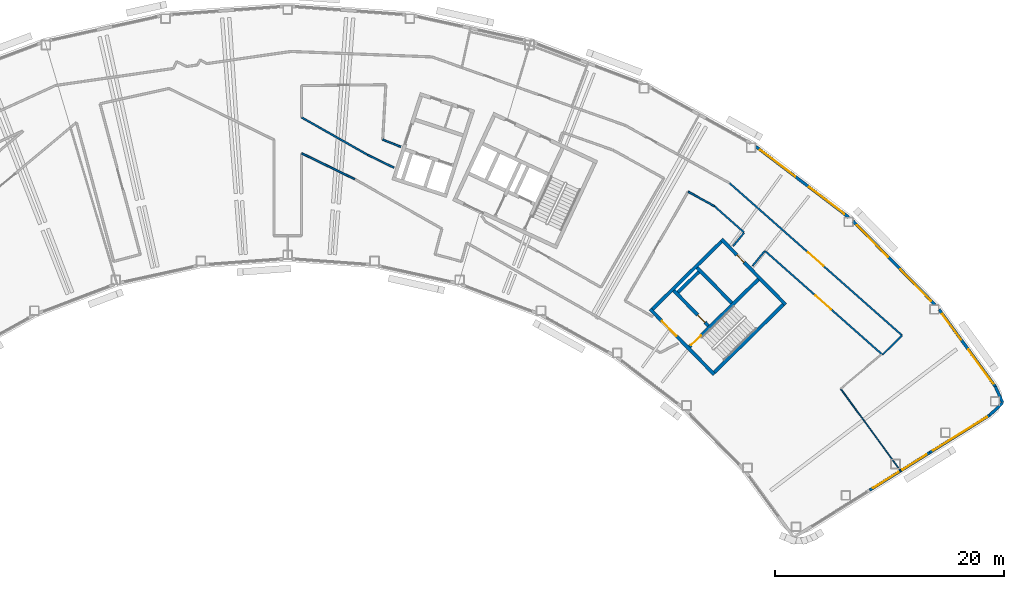
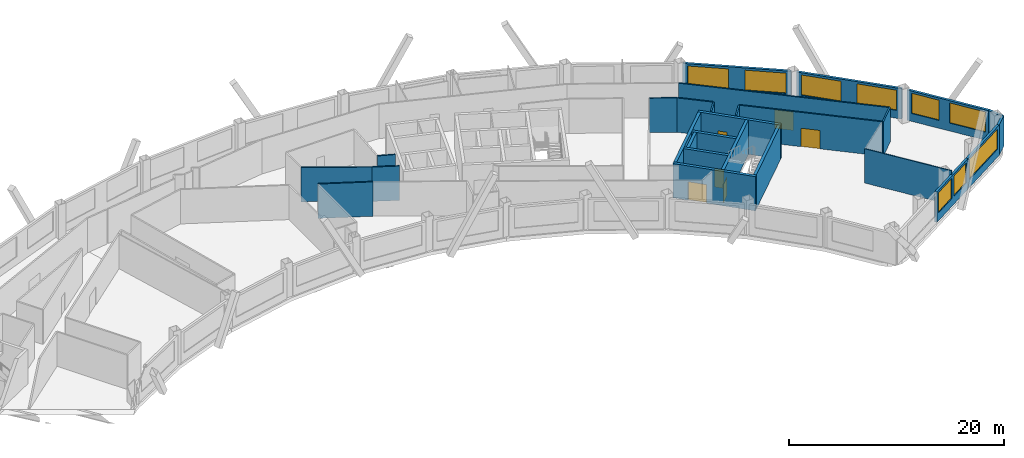
# One storey, part 9 of 13: 27 walls, 9 windows, 6 doors, 15 openings.
"""IFC4 building model written with IfcOpenShell, lengths in metres."""

from ifc_helpers import new_model, si_unit, direction, frame, frame_2d, origin, place, context, subcontext, project, spatial, rectangle, extrude, material, layer, layer_set, type_object, element, fill, save


model = new_model("IFC4")

# Units and contexts
model_context = context("Model", 3, precision=1e-05, world=origin(), true_north=direction((0.0, 1.0)))
body_context = subcontext(model_context, "Body", "Model", "MODEL_VIEW")
ifc_project = project(units=[si_unit("LENGTHUNIT", "METRE"), si_unit("AREAUNIT", "SQUARE_METRE"), si_unit("VOLUMEUNIT", "CUBIC_METRE"), si_unit("PLANEANGLEUNIT", "RADIAN"), si_unit("MASSUNIT", "GRAM", prefix="KILO")], contexts=[model_context])

# Site, building, storey
site_placement = place(None, origin())
site = spatial("IfcSite", under=ifc_project, at=site_placement, CompositionType="ELEMENT")
building_placement = place(site_placement, origin())
building = spatial("IfcBuilding", under=site, at=building_placement, Name="Tuul Gate Civic Tower", CompositionType="ELEMENT")
storey_placement = place(building_placement, frame((0.0, 0.0, 248.39990234375)))
storey = spatial("IfcBuildingStorey", under=building, at=storey_placement, Name="Level 56", CompositionType="ELEMENT", Elevation=248.39990234375)

# Wall, opening, door
ifc_material_1 = material(Name="Concrete C50/60", Category="concrete")
ifc_layer_1 = layer(ifc_material_1, 0.300048828125)
ifc_layer_set_1 = layer_set([ifc_layer_1], Name="Concrete C50/60")
wall_type_1 = type_object("IfcWallType", Name="Core wall C50/60", PredefinedType="SHEAR", material=ifc_layer_set_1)
wall_1_placement = place(storey_placement, frame((48.22509765625, -18.327880859375, 0.0), z_axis=(0.0, 0.0, 1.0), x_axis=(-0.700021979774, 0.714121297703, 0.0)))
wall_1 = element("IfcWall", 1, at=wall_1_placement, inside=storey, type_object=wall_type_1, Name="Core wall", PredefinedType="SHEAR", context=body_context, shape_type="SweptSolid", body=[
    extrude(rectangle(XDim=8.0, YDim=0.300048828125, at=frame_2d((4.0, 0.0))), origin(), (0.0, 0.0, 1.0), 3.900146484375),
])
opening_1_placement = place(wall_1_placement, frame((4.72509765625, 0.0, 0.0)))
opening_1 = element("IfcOpeningElement", 2, at=opening_1_placement, cuts=wall_1, Name="Opening LB-E1-LOBBY-1", PredefinedType="OPENING", context=body_context, shape_type="SweptSolid", body=[
    extrude(rectangle(XDim=1.800048828125, YDim=2.10009765625, at=frame_2d((0.89990234375, 1.050048828125))), frame((0.0, 0.16015625, 0.0), z_axis=(0.0, -1.0, 0.0), x_axis=(1.0, 0.0, 0.0)), (0.0, 0.0, 1.0), 0.320068359375),
])
ifc_material_2 = material(Name="Steel", Category="steel")
door_type_1 = type_object("IfcDoorType", Name="Lobby door", OperationType="DOUBLE_DOOR_SINGLE_SWING", PredefinedType="DOOR", material=ifc_material_2)
door_1_placement = place(opening_1_placement, frame((1.800048828125, 0.0, 0.0), z_axis=(0.0, 0.0, 1.0), x_axis=(-1.0, 0.0, 0.0)))
door_1 = element("IfcDoor", 3, at=door_1_placement, inside=storey, type_object=door_type_1, Name="Lobby door E1-LOBBY", OperationType="DOUBLE_DOOR_SINGLE_SWING", OverallHeight=2.10009765625, OverallWidth=1.800048828125, PredefinedType="DOOR", context=body_context, shape_type="SweptSolid", body=[
    extrude(rectangle(XDim=1.800048828125, YDim=2.10009765625, at=frame_2d((0.900146484375, 1.050048828125))), frame((0.0, 0.02490234375, 0.0), z_axis=(0.0, -1.0, 0.0), x_axis=(1.0, 0.0, 0.0)), (0.0, 0.0, 1.0), 0.050048828125),
])
fill(opening_1, door_1)

wall_2_placement = place(storey_placement, frame((47.701904296875, -14.079833984375, 0.0), z_axis=(0.0, 0.0, 1.0), x_axis=(-0.700002721075, 0.714140175657, 0.0)))
wall_2 = element("IfcWall", 4, at=wall_2_placement, inside=storey, type_object=wall_type_1, Name="Core wall", PredefinedType="SHEAR", context=body_context, shape_type="SweptSolid", body=[
    extrude(rectangle(XDim=4.300048828125, YDim=0.300048828125, at=frame_2d((2.14990234375, 0.0))), origin(), (0.0, 0.0, 1.0), 3.900146484375),
])
opening_2_placement = place(wall_2_placement, frame((0.425048828125, 0.0, 0.0)))
opening_2 = element("IfcOpeningElement", 5, at=opening_2_placement, cuts=wall_2, Name="Opening FB-E1A1", PredefinedType="OPENING", context=body_context, shape_type="SweptSolid", body=[
    extrude(rectangle(XDim=0.89990234375, YDim=2.10009765625, at=frame_2d((0.449951171875, 1.050048828125))), frame((0.0, 0.16015625, 0.0), z_axis=(0.0, -1.0, 0.0), x_axis=(1.0, 0.0, 0.0)), (0.0, 0.0, 1.0), 0.320068359375),
])
ifc_material_3 = material(Name="Steel", Category="steel")
door_type_2 = type_object("IfcDoorType", Name="Store door", OperationType="NOTDEFINED", PredefinedType="DOOR", material=ifc_material_3)
door_2_placement = place(opening_2_placement, frame((0.89990234375, 0.0, 0.0), z_axis=(0.0, 0.0, 1.0), x_axis=(-1.0, 0.0, 0.0)))
door_2 = element("IfcDoor", 6, at=door_2_placement, inside=storey, type_object=door_type_2, Name="Store door E1A1", OperationType="SINGLE_SWING_RIGHT", OverallHeight=2.10009765625, OverallWidth=0.89990234375, PredefinedType="DOOR", context=body_context, shape_type="SweptSolid", body=[
    extrude(rectangle(XDim=0.89990234375, YDim=2.10009765625, at=frame_2d((0.449951171875, 1.050048828125))), frame((0.0, 0.02490234375, 0.0), z_axis=(0.0, -1.0, 0.0), x_axis=(1.0, 0.0, 0.0)), (0.0, 0.0, 1.0), 0.050048828125),
])
fill(opening_2, door_2)

# Wall
wall_3_placement = place(storey_placement, frame((49.737060546875, -12.0849609375, 0.0), z_axis=(0.0, 0.0, 1.0), x_axis=(-0.700002721075, 0.714140175657, 0.0)))
element("IfcWall", 7, at=wall_3_placement, inside=storey, type_object=wall_type_1, Name="Core wall", PredefinedType="SHEAR", context=body_context, shape_type="SweptSolid", body=[
    extrude(rectangle(XDim=4.300048828125, YDim=0.300048828125, at=frame_2d((2.14990234375, 0.0))), origin(), (0.0, 0.0, 1.0), 3.900146484375),
])

# Wall, opening, door
wall_4_placement = place(storey_placement, frame((54.43798828125, -12.23779296875, 0.0), z_axis=(0.0, 0.0, 1.0), x_axis=(-0.700021979774, 0.714121297703, 0.0)))
wall_4 = element("IfcWall", 8, at=wall_4_placement, inside=storey, type_object=wall_type_1, Name="Core wall", PredefinedType="SHEAR", context=body_context, shape_type="SweptSolid", body=[
    extrude(rectangle(XDim=8.0, YDim=0.300048828125, at=frame_2d((4.0, 0.0))), origin(), (0.0, 0.0, 1.0), 3.900146484375),
])
opening_3_placement = place(wall_4_placement, frame((5.175048828125, 0.0, 0.0)))
opening_3 = element("IfcOpeningElement", 9, at=opening_3_placement, cuts=wall_4, Name="Opening U-D18", PredefinedType="OPENING", context=body_context, shape_type="SweptSolid", body=[
    extrude(rectangle(XDim=0.89990234375, YDim=2.10009765625, at=frame_2d((0.449951171875, 1.050048828125))), frame((0.0, 0.16015625, 0.0), z_axis=(0.0, -1.0, 0.0), x_axis=(1.0, 0.0, 0.0)), (0.0, 0.0, 1.0), 0.320068359375),
])
ifc_material_4 = material(Name="Timber door leaf", Category="wood")
door_type_3 = type_object("IfcDoorType", Name="Door D09", OperationType="NOTDEFINED", PredefinedType="DOOR", material=ifc_material_4)
door_3_placement = place(opening_3_placement, origin())
door_3 = element("IfcDoor", 10, at=door_3_placement, inside=storey, type_object=door_type_3, Name="Door U-D18", OperationType="SINGLE_SWING_LEFT", OverallHeight=2.10009765625, OverallWidth=0.89990234375, PredefinedType="DOOR", context=body_context, shape_type="SweptSolid", body=[
    extrude(rectangle(XDim=0.89990234375, YDim=2.10009765625, at=frame_2d((0.449951171875, 1.050048828125))), frame((0.0, 0.02490234375, 0.0), z_axis=(0.0, -1.0, 0.0), x_axis=(1.0, 0.0, 0.0)), (0.0, 0.0, 1.0), 0.050048828125),
])
fill(opening_3, door_3)

# Wall
wall_5_placement = place(storey_placement, frame((48.227294921875, -18.115966796875, 0.0), z_axis=(0.0, 0.0, 1.0), x_axis=(0.714105315431, 0.700038283577, 0.0)))
element("IfcWall", 11, at=wall_5_placement, inside=storey, type_object=wall_type_1, Name="Core wall", PredefinedType="SHEAR", context=body_context, shape_type="SweptSolid", body=[
    extrude(rectangle(XDim=8.400146484375, YDim=0.300048828125, at=frame_2d((4.2001953125, 0.0))), origin(), (0.0, 0.0, 1.0), 3.900146484375),
])

# Wall, opening, door
wall_6_placement = place(storey_placement, frame((46.05712890625, -15.902099609375, 0.0), z_axis=(0.0, 0.0, 1.0), x_axis=(0.714134086973, 0.700008932674, 0.0)))
wall_6 = element("IfcWall", 12, at=wall_6_placement, inside=storey, type_object=wall_type_1, Name="Core wall", PredefinedType="SHEAR", context=body_context, shape_type="SweptSolid", body=[
    extrude(rectangle(XDim=8.400146484375, YDim=0.300048828125, at=frame_2d((4.2001953125, 0.0))), origin(), (0.0, 0.0, 1.0), 3.900146484375),
])
opening_4_placement = place(wall_6_placement, frame((0.199951171875, 0.0, 0.0)))
opening_4 = element("IfcOpeningElement", 13, at=opening_4_placement, cuts=wall_6, Name="Opening SD-ST-3", PredefinedType="OPENING", context=body_context, shape_type="SweptSolid", body=[
    extrude(rectangle(XDim=1.199951171875, YDim=2.10009765625, at=frame_2d((0.60009765625, 1.050048828125))), frame((0.0, 0.16015625, 0.0), z_axis=(0.0, -1.0, 0.0), x_axis=(1.0, 0.0, 0.0)), (0.0, 0.0, 1.0), 0.320068359375),
])
ifc_material_5 = material(Name="Steel", Category="steel")
door_type_4 = type_object("IfcDoorType", Name="Stair door", OperationType="NOTDEFINED", PredefinedType="DOOR", material=ifc_material_5)
door_4_placement = place(opening_4_placement, origin())
door_4 = element("IfcDoor", 14, at=door_4_placement, inside=storey, type_object=door_type_4, Name="Stair door ST-3", OperationType="SINGLE_SWING_LEFT", OverallHeight=2.10009765625, OverallWidth=1.199951171875, PredefinedType="DOOR", context=body_context, shape_type="SweptSolid", body=[
    extrude(rectangle(XDim=1.199951171875, YDim=2.10009765625, at=frame_2d((0.60009765625, 1.050048828125))), frame((0.0, 0.02490234375, 0.0), z_axis=(0.0, -1.0, 0.0), x_axis=(1.0, 0.0, 0.0)), (0.0, 0.0, 1.0), 0.050048828125),
])
fill(opening_4, door_4)

# Walls
wall_7_placement = place(storey_placement, frame((45.0439453125, -11.154052734375, 0.0), z_axis=(0.0, 0.0, 1.0), x_axis=(0.714108498262, 0.700035036773, 0.0)))
element("IfcWall", 15, at=wall_7_placement, inside=storey, type_object=wall_type_1, Name="Core wall", PredefinedType="SHEAR", context=body_context, shape_type="SweptSolid", body=[
    extrude(rectangle(XDim=2.550048828125, YDim=0.300048828125, at=frame_2d((1.27490234375, 0.0))), origin(), (0.0, 0.0, 1.0), 3.900146484375),
])
wall_8_placement = place(storey_placement, frame((42.837158203125, -12.616943359375, 0.0), z_axis=(0.0, 0.0, 1.0), x_axis=(0.714119844755, 0.700023461983, 0.0)))
element("IfcWall", 16, at=wall_8_placement, inside=storey, type_object=wall_type_1, Name="Core wall", PredefinedType="SHEAR", context=body_context, shape_type="SweptSolid", body=[
    extrude(rectangle(XDim=8.39990234375, YDim=0.300048828125, at=frame_2d((4.199951171875, 0.0))), origin(), (0.0, 0.0, 1.0), 3.900146484375),
])
ifc_material_6 = material(Name="Gypsum board partition")
ifc_layer_2 = layer(ifc_material_6, 0.14990234375)
ifc_layer_set_2 = layer_set([ifc_layer_2], Name="Gypsum board partition")
wall_type_2 = type_object("IfcWallType", Name="Corridor wall P150", PredefinedType="PARTITIONING", material=ifc_layer_set_2)
wall_9_placement = place(storey_placement, frame((48.224609375, -3.646728515625, 0.0), z_axis=(0.0, 0.0, 1.0), x_axis=(0.749336425898, -0.662189490118, 0.0)))
element("IfcWall", 17, at=wall_9_placement, inside=storey, type_object=wall_type_2, Name="p005", PredefinedType="PARTITIONING", context=body_context, shape_type="SweptSolid", body=[
    extrude(rectangle(XDim=3.454345703125, YDim=0.14990234375, at=frame_2d((1.72705078125, 0.0))), origin(), (0.0, 0.0, 1.0), 3.900146484375),
])

# Wall, opening, door
wall_10_placement = place(storey_placement, frame((52.642822265625, -7.55126953125, 0.0), z_axis=(0.0, 0.0, 1.0), x_axis=(0.749314440873, -0.662214367633, 0.0)))
wall_10 = element("IfcWall", 18, at=wall_10_placement, inside=storey, type_object=wall_type_2, Name="p006", PredefinedType="PARTITIONING", context=body_context, shape_type="SweptSolid", body=[
    extrude(rectangle(XDim=13.658935546875, YDim=0.14990234375, at=frame_2d((6.82958984375, 0.0))), origin(), (0.0, 0.0, 1.0), 3.900146484375),
])
opening_5_placement = place(wall_10_placement, frame((5.883544921875, 0.0, 0.0)))
opening_5 = element("IfcOpeningElement", 19, at=opening_5_placement, cuts=wall_10, Name="Opening U-D07", PredefinedType="OPENING", context=body_context, shape_type="SweptSolid", body=[
    extrude(rectangle(XDim=1.800048828125, YDim=2.10009765625, at=frame_2d((0.89990234375, 1.050048828125))), frame((0.0, 0.0849609375, 0.0), z_axis=(0.0, -1.0, 0.0), x_axis=(1.0, 0.0, 0.0)), (0.0, 0.0, 1.0), 0.169921875),
])
ifc_material_7 = material(Name="Timber door leaf, double", Category="wood")
door_type_5 = type_object("IfcDoorType", Name="Door D18", OperationType="DOUBLE_DOOR_SINGLE_SWING", PredefinedType="DOOR", material=ifc_material_7)
door_5_placement = place(opening_5_placement, frame((1.800048828125, 0.0, 0.0), z_axis=(0.0, 0.0, 1.0), x_axis=(-1.0, 0.0, 0.0)))
door_5 = element("IfcDoor", 20, at=door_5_placement, inside=storey, type_object=door_type_5, Name="Door U-D07", OperationType="DOUBLE_DOOR_SINGLE_SWING", OverallHeight=2.10009765625, OverallWidth=1.800048828125, PredefinedType="DOOR", context=body_context, shape_type="SweptSolid", body=[
    extrude(rectangle(XDim=1.800048828125, YDim=2.10009765625, at=frame_2d((0.900146484375, 1.050048828125))), frame((0.0, 0.02490234375, 0.0), z_axis=(0.0, -1.0, 0.0), x_axis=(1.0, 0.0, 0.0)), (0.0, 0.0, 1.0), 0.050048828125),
])
fill(opening_5, door_5)

# Wall
wall_11_placement = place(storey_placement, frame((62.877685546875, -16.596435546875, 0.0), z_axis=(0.0, 0.0, 1.0), x_axis=(0.711669598432, 0.702514329155, 0.0)))
element("IfcWall", 21, at=wall_11_placement, inside=storey, type_object=wall_type_2, Name="p007", PredefinedType="PARTITIONING", context=body_context, shape_type="SweptSolid", body=[
    extrude(rectangle(XDim=2.39990234375, YDim=0.14990234375, at=frame_2d((1.199951171875, 0.0))), origin(), (0.0, 0.0, 1.0), 3.900146484375),
])

# Wall, opening, door
wall_12_placement = place(storey_placement, frame((49.53955078125, -1.63134765625, 0.0), z_axis=(0.0, 0.0, 1.0), x_axis=(0.749762583853, -0.66170693502, 0.0)))
wall_12 = element("IfcWall", 22, at=wall_12_placement, inside=storey, type_object=wall_type_2, Name="p008", PredefinedType="PARTITIONING", context=body_context, shape_type="SweptSolid", body=[
    extrude(rectangle(XDim=20.06787109375, YDim=0.14990234375, at=frame_2d((10.033935546875, 0.0))), origin(), (0.0, 0.0, 1.0), 3.900146484375),
])
opening_6_placement = place(wall_12_placement, frame((9.1337890625, 0.0, 0.0)))
opening_6 = element("IfcOpeningElement", 23, at=opening_6_placement, cuts=wall_12, Name="Opening U-D01", PredefinedType="OPENING", context=body_context, shape_type="SweptSolid", body=[
    extrude(rectangle(XDim=1.800048828125, YDim=2.10009765625, at=frame_2d((0.89990234375, 1.050048828125))), frame((0.0, 0.0849609375, 0.0), z_axis=(0.0, -1.0, 0.0), x_axis=(1.0, 0.0, 0.0)), (0.0, 0.0, 1.0), 0.169921875),
])
door_6_placement = place(opening_6_placement, origin())
door_6 = element("IfcDoor", 24, at=door_6_placement, inside=storey, type_object=door_type_5, Name="Door U-D01", OperationType="DOUBLE_DOOR_SINGLE_SWING", OverallHeight=2.10009765625, OverallWidth=1.800048828125, PredefinedType="DOOR", context=body_context, shape_type="SweptSolid", body=[
    extrude(rectangle(XDim=1.800048828125, YDim=2.10009765625, at=frame_2d((0.89990234375, 1.050048828125))), frame((0.0, 0.02490234375, 0.0), z_axis=(0.0, -1.0, 0.0), x_axis=(1.0, 0.0, 0.0)), (0.0, 0.0, 1.0), 0.050048828125),
])
fill(opening_6, door_6)

# Walls
wall_13_placement = place(storey_placement, frame((12.240966796875, 4.0947265625, 0.0), z_axis=(0.0, 0.0, 1.0), x_axis=(0.869717206952, -0.493550382364, 0.0)))
element("IfcWall", 25, at=wall_13_placement, inside=storey, type_object=wall_type_2, Name="p020", PredefinedType="PARTITIONING", context=body_context, shape_type="SweptSolid", body=[
    extrude(rectangle(XDim=6.607666015625, YDim=0.14990234375, at=frame_2d((3.3037109375, 0.0))), origin(), (0.0, 0.0, 1.0), 3.900146484375),
])
wall_14_placement = place(storey_placement, frame((17.989013671875, 0.8330078125, 0.0), z_axis=(0.0, 0.0, 1.0), x_axis=(0.898595450667, -0.438778094303, 0.0)))
element("IfcWall", 26, at=wall_14_placement, inside=storey, type_object=wall_type_2, Name="p025", PredefinedType="PARTITIONING", context=body_context, shape_type="SweptSolid", body=[
    extrude(rectangle(XDim=2.564453125, YDim=0.14990234375, at=frame_2d((1.2822265625, 0.0))), origin(), (0.0, 0.0, 1.0), 3.900146484375),
])
wall_15_placement = place(storey_placement, frame((12.254150390625, 0.961181640625, 0.0), z_axis=(0.0, 0.0, 1.0), x_axis=(0.898674301723, -0.438616574496, 0.0)))
element("IfcWall", 27, at=wall_15_placement, inside=storey, type_object=wall_type_2, Name="p048", PredefinedType="PARTITIONING", context=body_context, shape_type="SweptSolid", body=[
    extrude(rectangle(XDim=5.13525390625, YDim=0.14990234375, at=frame_2d((2.567626953125, 0.0))), origin(), (0.0, 0.0, 1.0), 3.900146484375),
])
wall_16_placement = place(storey_placement, frame((51.5478515625, -8.861083984375, 0.0), z_axis=(0.0, 0.0, 1.0), x_axis=(0.631991806449, 0.774975068361, 0.0)))
element("IfcWall", 28, at=wall_16_placement, inside=storey, type_object=wall_type_2, Name="p057", PredefinedType="PARTITIONING", context=body_context, shape_type="SweptSolid", body=[
    extrude(rectangle(XDim=1.68701171875, YDim=0.14990234375, at=frame_2d((0.843505859375, 0.0))), origin(), (0.0, 0.0, 1.0), 3.900146484375),
])
wall_17_placement = place(storey_placement, frame((45.94384765625, -2.385009765625, 0.0), z_axis=(0.0, 0.0, 1.0), x_axis=(0.875030665864, -0.484067488887, 0.0)))
element("IfcWall", 29, at=wall_17_placement, inside=storey, type_object=wall_type_2, Name="p083", PredefinedType="PARTITIONING", context=body_context, shape_type="SweptSolid", body=[
    extrude(rectangle(XDim=2.6064453125, YDim=0.14990234375, at=frame_2d((1.30322265625, 0.0))), origin(), (0.0, 0.0, 1.0), 3.900146484375),
])
wall_18_placement = place(storey_placement, frame((49.85791015625, -7.13720703125, 0.0), z_axis=(0.0, 0.0, 1.0), x_axis=(0.631447093318, 0.775418963103, 0.0)))
element("IfcWall", 30, at=wall_18_placement, inside=storey, type_object=wall_type_2, Name="p084", PredefinedType="PARTITIONING", context=body_context, shape_type="SweptSolid", body=[
    extrude(rectangle(XDim=1.51611328125, YDim=0.14990234375, at=frame_2d((0.758056640625, 0.0))), origin(), (0.0, 0.0, 1.0), 3.900146484375),
])
wall_19_placement = place(storey_placement, frame((19.3125, 2.158203125, 0.0), z_axis=(0.0, 0.0, 1.0), x_axis=(0.92863564679, -0.370993039708, 0.0)))
element("IfcWall", 31, at=wall_19_placement, inside=storey, type_object=wall_type_2, Name="p090", PredefinedType="PARTITIONING", context=body_context, shape_type="SweptSolid", body=[
    extrude(rectangle(XDim=1.69384765625, YDim=0.14990234375, at=frame_2d((0.846923828125, 0.0))), origin(), (0.0, 0.0, 1.0), 3.900146484375),
])
ifc_material_8 = material(Name="Precast concrete C40/50", Category="concrete")
ifc_layer_3 = layer(ifc_material_8, 0.25)
ifc_layer_set_3 = layer_set([ifc_layer_3], Name="Precast concrete C40/50")
wall_type_3 = type_object("IfcWallType", Name="External wall", PredefinedType="STANDARD", material=ifc_layer_set_3)
wall_20_placement = place(storey_placement, frame((72.2216796875, -21.86669921875, 0.0), z_axis=(0.0, 0.0, 1.0), x_axis=(0.722783622894, 0.69107440589, 0.0)))
element("IfcWall", 32, at=wall_20_placement, inside=storey, type_object=wall_type_3, Name="External wall", PredefinedType="STANDARD", context=body_context, shape_type="SweptSolid", body=[
    extrude(rectangle(XDim=1.570556640625, YDim=0.25, at=frame_2d((0.78515625, 0.0))), origin(), (0.0, 0.0, 1.0), 3.4501953125),
])
wall_21_placement = place(storey_placement, frame((73.35693359375, -20.78125, 0.0), z_axis=(0.0, 0.0, 1.0), x_axis=(-0.412995937313, 0.9107328674, 0.0)))
element("IfcWall", 33, at=wall_21_placement, inside=storey, type_object=wall_type_3, Name="External wall", PredefinedType="STANDARD", context=body_context, shape_type="SweptSolid", body=[
    extrude(rectangle(XDim=1.572998046875, YDim=0.25, at=frame_2d((0.78662109375, 0.0))), origin(), (0.0, 0.0, 1.0), 3.4501953125),
])

# Wall, openings, windows
wall_22_placement = place(storey_placement, frame((72.719970703125, -19.37060546875, 0.0), z_axis=(0.0, 0.0, 1.0), x_axis=(-0.589821256366, 0.807533829346, 0.0)))
wall_22 = element("IfcWall", 34, at=wall_22_placement, inside=storey, type_object=wall_type_3, Name="External wall", PredefinedType="STANDARD", context=body_context, shape_type="SweptSolid", body=[
    extrude(rectangle(XDim=8.33642578125, YDim=0.25, at=frame_2d((4.168212890625, 0.0))), origin(), (0.0, 0.0, 1.0), 3.4501953125),
])
opening_7_placement = place(wall_22_placement, frame((0.30078125, 0.0, 0.89990234375)))
opening_7 = element("IfcOpeningElement", 35, at=opening_7_placement, cuts=wall_22, Name="Opening W21", PredefinedType="OPENING", context=body_context, shape_type="SweptSolid", body=[
    extrude(rectangle(XDim=3.699951171875, YDim=2.300048828125, at=frame_2d((1.85009765625, 1.14990234375))), frame((0.0, 0.135009765625, 0.0), z_axis=(0.0, -1.0, 0.0), x_axis=(1.0, 0.0, 0.0)), (0.0, 0.0, 1.0), 0.27001953125),
])
opening_8_placement = place(wall_22_placement, frame((5.052001953125, 0.0, 0.89990234375)))
opening_8 = element("IfcOpeningElement", 36, at=opening_8_placement, cuts=wall_22, Name="Opening W23", PredefinedType="OPENING", context=body_context, shape_type="SweptSolid", body=[
    extrude(rectangle(XDim=2.800048828125, YDim=2.300048828125, at=frame_2d((1.39990234375, 1.14990234375))), frame((0.0, 0.135009765625, 0.0), z_axis=(0.0, -1.0, 0.0), x_axis=(1.0, 0.0, 0.0)), (0.0, 0.0, 1.0), 0.27001953125),
])
ifc_material_9 = material(Name="Glass", Category="glass")
window_type_1 = type_object("IfcWindowType", Name="Window W21 3700 x 2300", PartitioningType="SINGLE_PANEL", PredefinedType="WINDOW", material=ifc_material_9)
window_1_placement = place(opening_7_placement, origin())
window_1 = element("IfcWindow", 37, at=window_1_placement, inside=storey, type_object=window_type_1, Name="Window", OverallHeight=2.300048828125, OverallWidth=3.699951171875, PartitioningType="SINGLE_PANEL", PredefinedType="WINDOW", context=body_context, shape_type="SweptSolid", body=[
    extrude(rectangle(XDim=3.699951171875, YDim=2.300048828125, at=frame_2d((1.85009765625, 1.14990234375))), frame((0.0, 0.030029296875, 0.0), z_axis=(0.0, -1.0, 0.0), x_axis=(1.0, 0.0, 0.0)), (0.0, 0.0, 1.0), 0.06005859375),
])
fill(opening_7, window_1)
ifc_material_10 = material(Name="Glass", Category="glass")
window_type_2 = type_object("IfcWindowType", Name="Window W23 2800 x 2300", PartitioningType="SINGLE_PANEL", PredefinedType="WINDOW", material=ifc_material_10)
window_2_placement = place(opening_8_placement, origin())
window_2 = element("IfcWindow", 38, at=window_2_placement, inside=storey, type_object=window_type_2, Name="Window", OverallHeight=2.300048828125, OverallWidth=2.800048828125, PartitioningType="SINGLE_PANEL", PredefinedType="WINDOW", context=body_context, shape_type="SweptSolid", body=[
    extrude(rectangle(XDim=2.800048828125, YDim=2.300048828125, at=frame_2d((1.39990234375, 1.14990234375))), frame((0.0, 0.030029296875, 0.0), z_axis=(0.0, -1.0, 0.0), x_axis=(1.0, 0.0, 0.0)), (0.0, 0.0, 1.0), 0.06005859375),
])
fill(opening_8, window_2)

wall_23_placement = place(storey_placement, frame((67.466064453125, -12.241943359375, 0.0), z_axis=(0.0, 0.0, 1.0), x_axis=(-0.700008693155, 0.714134321754, 0.0)))
wall_23 = element("IfcWall", 39, at=wall_23_placement, inside=storey, type_object=wall_type_3, Name="External wall", PredefinedType="STANDARD", context=body_context, shape_type="SweptSolid", body=[
    extrude(rectangle(XDim=10.197265625, YDim=0.25, at=frame_2d((5.0986328125, 0.0))), origin(), (0.0, 0.0, 1.0), 3.4501953125),
])
opening_9_placement = place(wall_23_placement, frame((0.487060546875, 0.0, 0.89990234375)))
opening_9 = element("IfcOpeningElement", 40, at=opening_9_placement, cuts=wall_23, Name="Opening W22", PredefinedType="OPENING", context=body_context, shape_type="SweptSolid", body=[
    extrude(rectangle(XDim=3.85009765625, YDim=2.300048828125, at=frame_2d((1.925048828125, 1.14990234375))), frame((0.0, 0.135009765625, 0.0), z_axis=(0.0, -1.0, 0.0), x_axis=(1.0, 0.0, 0.0)), (0.0, 0.0, 1.0), 0.27001953125),
])
opening_10_placement = place(wall_23_placement, frame((5.8583984375, 0.0, 0.89990234375)))
opening_10 = element("IfcOpeningElement", 41, at=opening_10_placement, cuts=wall_23, Name="Opening W22", PredefinedType="OPENING", context=body_context, shape_type="SweptSolid", body=[
    extrude(rectangle(XDim=3.85009765625, YDim=2.300048828125, at=frame_2d((1.925048828125, 1.14990234375))), frame((0.0, 0.135009765625, 0.0), z_axis=(0.0, -1.0, 0.0), x_axis=(1.0, 0.0, 0.0)), (0.0, 0.0, 1.0), 0.27001953125),
])
ifc_material_11 = material(Name="Glass", Category="glass")
window_type_3 = type_object("IfcWindowType", Name="Window W22 3850 x 2300", PartitioningType="SINGLE_PANEL", PredefinedType="WINDOW", material=ifc_material_11)
window_3_placement = place(opening_9_placement, origin())
window_3 = element("IfcWindow", 42, at=window_3_placement, inside=storey, type_object=window_type_3, Name="Window", OverallHeight=2.300048828125, OverallWidth=3.85009765625, PartitioningType="SINGLE_PANEL", PredefinedType="WINDOW", context=body_context, shape_type="SweptSolid", body=[
    extrude(rectangle(XDim=3.85009765625, YDim=2.300048828125, at=frame_2d((1.925048828125, 1.14990234375))), frame((0.0, 0.030029296875, 0.0), z_axis=(0.0, -1.0, 0.0), x_axis=(1.0, 0.0, 0.0)), (0.0, 0.0, 1.0), 0.06005859375),
])
fill(opening_9, window_3)
window_4_placement = place(opening_10_placement, origin())
window_4 = element("IfcWindow", 43, at=window_4_placement, inside=storey, type_object=window_type_3, Name="Window", OverallHeight=2.300048828125, OverallWidth=3.85009765625, PartitioningType="SINGLE_PANEL", PredefinedType="WINDOW", context=body_context, shape_type="SweptSolid", body=[
    extrude(rectangle(XDim=3.85009765625, YDim=2.300048828125, at=frame_2d((1.925048828125, 1.14990234375))), frame((0.0, 0.030029296875, 0.0), z_axis=(0.0, -1.0, 0.0), x_axis=(1.0, 0.0, 0.0)), (0.0, 0.0, 1.0), 0.06005859375),
])
fill(opening_10, window_4)

wall_24_placement = place(storey_placement, frame((59.9404296875, -4.616943359375, 0.0), z_axis=(0.0, 0.0, 1.0), x_axis=(-0.795654969417, 0.605750088437, 0.0)))
wall_24 = element("IfcWall", 44, at=wall_24_placement, inside=storey, type_object=wall_type_3, Name="External wall", PredefinedType="STANDARD", context=body_context, shape_type="SweptSolid", body=[
    extrude(rectangle(XDim=10.189697265625, YDim=0.25, at=frame_2d((5.0947265625, 0.0))), origin(), (0.0, 0.0, 1.0), 3.4501953125),
])
opening_11_placement = place(wall_24_placement, frame((0.49560546875, 0.0, 0.89990234375)))
opening_11 = element("IfcOpeningElement", 45, at=opening_11_placement, cuts=wall_24, Name="Opening W22", PredefinedType="OPENING", context=body_context, shape_type="SweptSolid", body=[
    extrude(rectangle(XDim=3.85009765625, YDim=2.300048828125, at=frame_2d((1.925048828125, 1.14990234375))), frame((0.0, 0.135009765625, 0.0), z_axis=(0.0, -1.0, 0.0), x_axis=(1.0, 0.0, 0.0)), (0.0, 0.0, 1.0), 0.27001953125),
])
opening_12_placement = place(wall_24_placement, frame((5.86669921875, 0.0, 0.89990234375)))
opening_12 = element("IfcOpeningElement", 46, at=opening_12_placement, cuts=wall_24, Name="Opening W22", PredefinedType="OPENING", context=body_context, shape_type="SweptSolid", body=[
    extrude(rectangle(XDim=3.85009765625, YDim=2.300048828125, at=frame_2d((1.925048828125, 1.14990234375))), frame((0.0, 0.135009765625, 0.0), z_axis=(0.0, -1.0, 0.0), x_axis=(1.0, 0.0, 0.0)), (0.0, 0.0, 1.0), 0.27001953125),
])
window_5_placement = place(opening_11_placement, origin())
window_5 = element("IfcWindow", 47, at=window_5_placement, inside=storey, type_object=window_type_3, Name="Window", OverallHeight=2.300048828125, OverallWidth=3.85009765625, PartitioningType="SINGLE_PANEL", PredefinedType="WINDOW", context=body_context, shape_type="SweptSolid", body=[
    extrude(rectangle(XDim=3.85009765625, YDim=2.300048828125, at=frame_2d((1.925048828125, 1.14990234375))), frame((0.0, 0.030029296875, 0.0), z_axis=(0.0, -1.0, 0.0), x_axis=(1.0, 0.0, 0.0)), (0.0, 0.0, 1.0), 0.06005859375),
])
fill(opening_11, window_5)
window_6_placement = place(opening_12_placement, origin())
window_6 = element("IfcWindow", 48, at=window_6_placement, inside=storey, type_object=window_type_3, Name="Window", OverallHeight=2.300048828125, OverallWidth=3.85009765625, PartitioningType="SINGLE_PANEL", PredefinedType="WINDOW", context=body_context, shape_type="SweptSolid", body=[
    extrude(rectangle(XDim=3.85009765625, YDim=2.300048828125, at=frame_2d((1.925048828125, 1.14990234375))), frame((0.0, 0.030029296875, 0.0), z_axis=(0.0, -1.0, 0.0), x_axis=(1.0, 0.0, 0.0)), (0.0, 0.0, 1.0), 0.06005859375),
])
fill(opening_12, window_6)

wall_25_placement = place(storey_placement, frame((61.755126953125, -28.404296875, 0.0), z_axis=(0.0, 0.0, 1.0), x_axis=(0.848036012993, 0.529938600846, 0.0)))
wall_25 = element("IfcWall", 49, at=wall_25_placement, inside=storey, type_object=wall_type_3, Name="External wall", PredefinedType="STANDARD", context=body_context, shape_type="SweptSolid", body=[
    extrude(rectangle(XDim=6.18310546875, YDim=0.25, at=frame_2d((3.091552734375, 0.0))), origin(), (0.0, 0.0, 1.0), 3.4501953125),
])
opening_13_placement = place(wall_25_placement, frame((0.33935546875, 0.0, 0.89990234375)))
opening_13 = element("IfcOpeningElement", 50, at=opening_13_placement, cuts=wall_25, Name="Opening W37", PredefinedType="OPENING", context=body_context, shape_type="SweptSolid", body=[
    extrude(rectangle(XDim=2.64990234375, YDim=2.300048828125, at=frame_2d((1.324951171875, 1.14990234375))), frame((0.0, 0.135009765625, 0.0), z_axis=(0.0, -1.0, 0.0), x_axis=(1.0, 0.0, 0.0)), (0.0, 0.0, 1.0), 0.27001953125),
])
opening_14_placement = place(wall_25_placement, frame((3.3642578125, 0.0, 0.89990234375)))
opening_14 = element("IfcOpeningElement", 51, at=opening_14_placement, cuts=wall_25, Name="Opening W38", PredefinedType="OPENING", context=body_context, shape_type="SweptSolid", body=[
    extrude(rectangle(XDim=2.5, YDim=2.300048828125, at=frame_2d((1.25, 1.14990234375))), frame((0.0, 0.135009765625, 0.0), z_axis=(0.0, -1.0, 0.0), x_axis=(1.0, 0.0, 0.0)), (0.0, 0.0, 1.0), 0.27001953125),
])
ifc_material_12 = material(Name="Glass", Category="glass")
window_type_4 = type_object("IfcWindowType", Name="Window 2500 x 2300", PartitioningType="SINGLE_PANEL", PredefinedType="WINDOW", material=ifc_material_12)
window_7_placement = place(opening_14_placement, origin())
window_7 = element("IfcWindow", 52, at=window_7_placement, inside=storey, type_object=window_type_4, Name="Window", OverallHeight=2.300048828125, OverallWidth=2.5, PartitioningType="SINGLE_PANEL", PredefinedType="WINDOW", context=body_context, shape_type="SweptSolid", body=[
    extrude(rectangle(XDim=2.5, YDim=2.300048828125, at=frame_2d((1.25, 1.14990234375))), frame((0.0, 0.030029296875, 0.0), z_axis=(0.0, -1.0, 0.0), x_axis=(1.0, 0.0, 0.0)), (0.0, 0.0, 1.0), 0.06005859375),
])
fill(opening_14, window_7)
ifc_material_13 = material(Name="Glass", Category="glass")
window_type_5 = type_object("IfcWindowType", Name="Window 2650 x 2300", PartitioningType="SINGLE_PANEL", PredefinedType="WINDOW", material=ifc_material_13)
window_8_placement = place(opening_13_placement, origin())
window_8 = element("IfcWindow", 53, at=window_8_placement, inside=storey, type_object=window_type_5, Name="Window", OverallHeight=2.300048828125, OverallWidth=2.64990234375, PartitioningType="SINGLE_PANEL", PredefinedType="WINDOW", context=body_context, shape_type="SweptSolid", body=[
    extrude(rectangle(XDim=2.64990234375, YDim=2.300048828125, at=frame_2d((1.324951171875, 1.14990234375))), frame((0.0, 0.030029296875, 0.0), z_axis=(0.0, -1.0, 0.0), x_axis=(1.0, 0.0, 0.0)), (0.0, 0.0, 1.0), 0.06005859375),
])
fill(opening_13, window_8)

# Wall, opening, window
wall_26_placement = place(storey_placement, frame((66.99853515625, -25.127685546875, 0.0), z_axis=(0.0, 0.0, 1.0), x_axis=(0.848024923451, 0.529956346509, 0.0)))
wall_26 = element("IfcWall", 54, at=wall_26_placement, inside=storey, type_object=wall_type_3, Name="External wall", PredefinedType="STANDARD", context=body_context, shape_type="SweptSolid", body=[
    extrude(rectangle(XDim=6.182861328125, YDim=0.25, at=frame_2d((3.09130859375, 0.0))), origin(), (0.0, 0.0, 1.0), 3.4501953125),
])
opening_15_placement = place(wall_26_placement, frame((0.31640625, 0.0, 0.89990234375)))
opening_15 = element("IfcOpeningElement", 55, at=opening_15_placement, cuts=wall_26, Name="Opening W24", PredefinedType="OPENING", context=body_context, shape_type="SweptSolid", body=[
    extrude(rectangle(XDim=5.550048828125, YDim=2.300048828125, at=frame_2d((2.77490234375, 1.14990234375))), frame((0.0, 0.135009765625, 0.0), z_axis=(0.0, -1.0, 0.0), x_axis=(1.0, 0.0, 0.0)), (0.0, 0.0, 1.0), 0.27001953125),
])
ifc_material_14 = material(Name="Glass", Category="glass")
window_type_6 = type_object("IfcWindowType", Name="Window W24 5550 x 2300", PartitioningType="SINGLE_PANEL", PredefinedType="WINDOW", material=ifc_material_14)
window_9_placement = place(opening_15_placement, origin())
window_9 = element("IfcWindow", 56, at=window_9_placement, inside=storey, type_object=window_type_6, Name="Window", OverallHeight=2.300048828125, OverallWidth=5.550048828125, PartitioningType="SINGLE_PANEL", PredefinedType="WINDOW", context=body_context, shape_type="SweptSolid", body=[
    extrude(rectangle(XDim=5.550048828125, YDim=2.300048828125, at=frame_2d((2.77490234375, 1.14990234375))), frame((0.0, 0.030029296875, 0.0), z_axis=(0.0, -1.0, 0.0), x_axis=(1.0, 0.0, 0.0)), (0.0, 0.0, 1.0), 0.06005859375),
])
fill(opening_15, window_9)

# Wall
ifc_material_15 = material(Name="Gypsum board partition")
ifc_layer_4 = layer(ifc_material_15, 0.10009765625)
ifc_layer_set_4 = layer_set([ifc_layer_4], Name="Gypsum board partition")
wall_type_4 = type_object("IfcWallType", Name="Partition P100", PredefinedType="PARTITIONING", material=ifc_layer_set_4)
wall_27_placement = place(storey_placement, frame((59.23486328125, -19.56494140625, 0.0), z_axis=(0.0, 0.0, 1.0), x_axis=(0.589815518848, -0.807538019988, 0.0)))
element("IfcWall", 57, at=wall_27_placement, inside=storey, type_object=wall_type_4, Name="p002", PredefinedType="PARTITIONING", context=body_context, shape_type="SweptSolid", body=[
    extrude(rectangle(XDim=8.859619140625, YDim=0.10009765625, at=frame_2d((4.4296875, 0.0))), origin(), (0.0, 0.0, 1.0), 3.900146484375),
])

save(model, "model.ifc")
